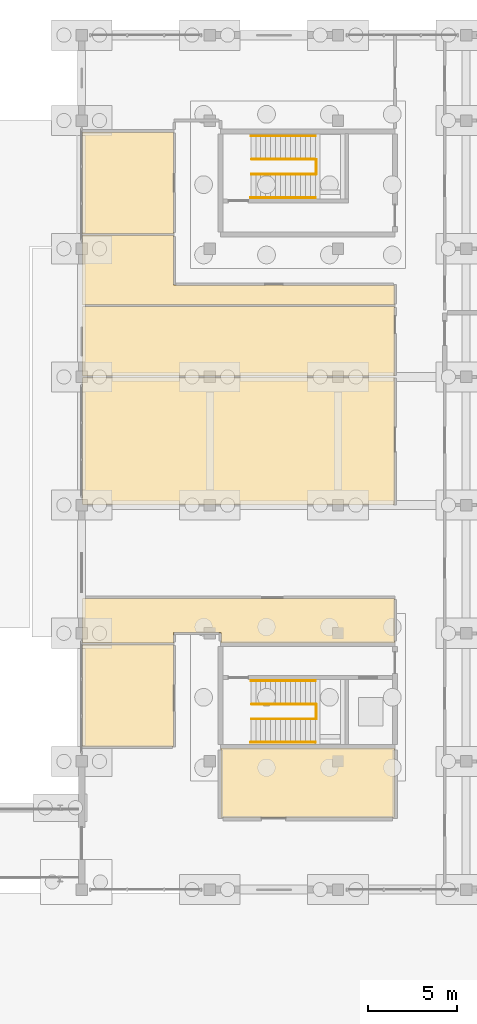
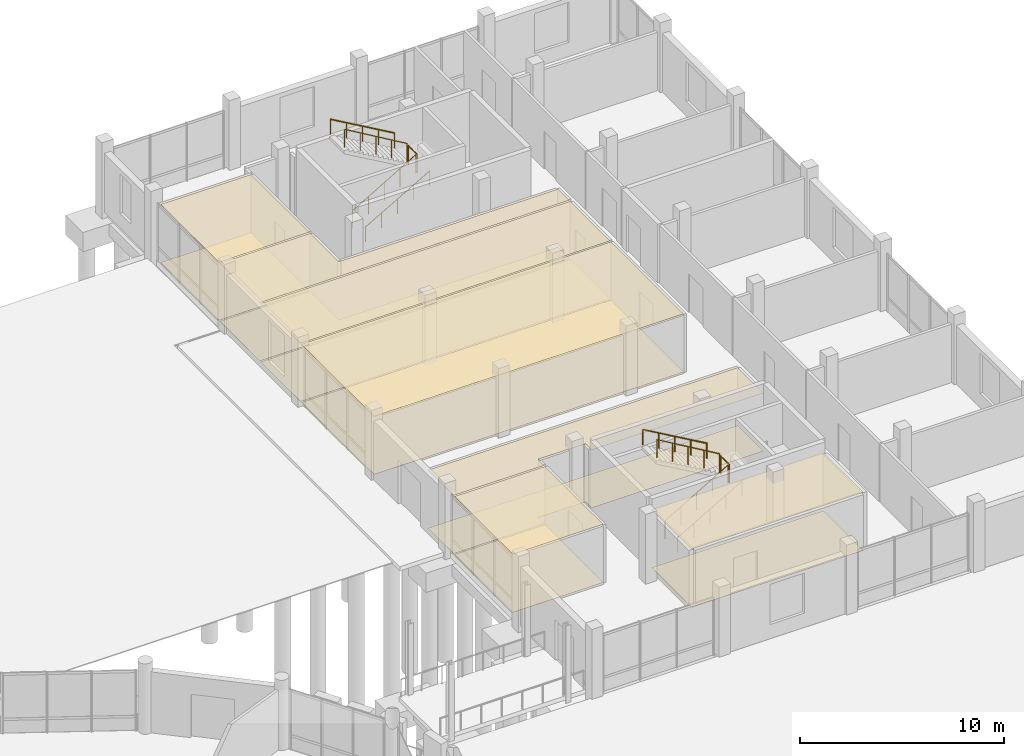
# One storey, part 97 of 98: 14 coverings, 10 railings.
"""IFC4 building model written with IfcOpenShell, lengths in metres."""

from ifc_helpers import new_model, si_unit, direction, frame, origin, origin_2d, place, context, subcontext, project, spatial, polyline, circle, outline, extrude, material, layer, layer_set, type_object, element, save


model = new_model("IFC4")

# Units and contexts
model_context = context("Model", 3, precision=1e-05, world=origin(), true_north=direction((0.0, 1.0)))
body_context = subcontext(model_context, "Body", "Model", "MODEL_VIEW")
ifc_project = project(units=[si_unit("LENGTHUNIT", "METRE"), si_unit("AREAUNIT", "SQUARE_METRE"), si_unit("VOLUMEUNIT", "CUBIC_METRE"), si_unit("PLANEANGLEUNIT", "RADIAN"), si_unit("MASSUNIT", "GRAM", prefix="KILO")], contexts=[model_context])

# Site, building, storey
site_placement = place(None, origin())
site = spatial("IfcSite", under=ifc_project, at=site_placement, CompositionType="ELEMENT")
building_placement = place(site_placement, origin())
building = spatial("IfcBuilding", under=site, at=building_placement, Name="Zornivar Specialist Clinic", CompositionType="ELEMENT")
storey_placement = place(building_placement, origin())
storey = spatial("IfcBuildingStorey", under=building, at=storey_placement, Name="L00", CompositionType="ELEMENT", Elevation=0.0)

# Coverings
ifc_material_1 = material(Name="Washable Acoustic Mineral Clinical Ceiling")
ifc_layer_1 = layer(ifc_material_1, 0.01806640625)
ifc_layer_set_1 = layer_set([ifc_layer_1], Name="Washable Acoustic Mineral Clinical Ceiling")
covering_type_1 = type_object("IfcCoveringType", Name="COV-CEIL-CLIN-18", PredefinedType="CEILING", material=ifc_layer_set_1)
covering_1_placement = place(storey_placement, frame((0.0, 0.0, 3.471923828125)))
element("IfcCovering", 1, at=covering_1_placement, inside=storey, type_object=covering_type_1, Name="ceil:space:V6:L00:rm:00", PredefinedType="CEILING", context=body_context, shape_type="SweptSolid", body=[
    extrude(outline(polyline([(144.639892578125, 68.840087890625), (144.639892578125, 72.760009765625), (154.360107421875, 72.760009765625), (154.360107421875, 68.840087890625), (144.639892578125, 68.840087890625)])), origin(), (0.0, 0.0, 1.0), 0.01806640625),
])
covering_2_placement = place(storey_placement, frame((0.0, 0.0, 3.471923828125)))
element("IfcCovering", 2, at=covering_2_placement, inside=storey, type_object=covering_type_1, Name="ceil:space:V6:L00:rm:01", PredefinedType="CEILING", context=body_context, shape_type="SweptSolid", body=[
    extrude(outline(polyline([(136.840087890625, 72.840087890625), (136.840087890625, 78.56005859375), (141.9599609375, 78.56005859375), (141.9599609375, 72.840087890625), (136.840087890625, 72.840087890625)])), origin(), (0.0, 0.0, 1.0), 0.01806640625),
])
covering_3_placement = place(storey_placement, frame((0.0, 0.0, 3.471923828125)))
element("IfcCovering", 3, at=covering_3_placement, inside=storey, type_object=covering_type_1, Name="ceil:space:V6:L00:rm:02", PredefinedType="CEILING", context=body_context, shape_type="SweptSolid", body=[
    extrude(outline(polyline([(154.360107421875, 78.639892578125), (144.639892578125, 78.639892578125), (144.639892578125, 79.239990234375), (141.9599609375, 79.239990234375), (141.9599609375, 78.639892578125), (136.840087890625, 78.639892578125), (136.840087890625, 81.159912109375), (154.360107421875, 81.159912109375), (154.360107421875, 78.639892578125)])), origin(), (0.0, 0.0, 1.0), 0.01806640625),
])
covering_4_placement = place(storey_placement, frame((0.0, 0.0, 3.471923828125)))
element("IfcCovering", 4, at=covering_4_placement, inside=storey, type_object=covering_type_1, Name="ceil:space:V6:L00:rm:03", PredefinedType="CEILING", context=body_context, shape_type="SweptSolid", body=[
    extrude(outline(polyline([(136.840087890625, 86.43994140625), (136.840087890625, 93.56005859375), (154.360107421875, 93.56005859375), (154.360107421875, 86.43994140625), (136.840087890625, 86.43994140625)])), origin(), (0.0, 0.0, 1.0), 0.01806640625),
])
covering_5_placement = place(storey_placement, frame((0.0, 0.0, 3.471923828125)))
element("IfcCovering", 5, at=covering_5_placement, inside=storey, type_object=covering_type_1, Name="ceil:space:V6:L00:rm:04", PredefinedType="CEILING", context=body_context, shape_type="SweptSolid", body=[
    extrude(outline(polyline([(136.840087890625, 93.639892578125), (136.840087890625, 97.56005859375), (154.360107421875, 97.56005859375), (154.360107421875, 93.639892578125), (136.840087890625, 93.639892578125)])), origin(), (0.0, 0.0, 1.0), 0.01806640625),
])
covering_6_placement = place(storey_placement, frame((0.0, 0.0, 3.471923828125)))
element("IfcCovering", 6, at=covering_6_placement, inside=storey, type_object=covering_type_1, Name="ceil:space:V6:L00:rm:05", PredefinedType="CEILING", context=body_context, shape_type="SweptSolid", body=[
    extrude(outline(polyline([(154.360107421875, 98.760009765625), (154.360107421875, 97.639892578125), (136.840087890625, 97.639892578125), (136.840087890625, 101.56005859375), (141.9599609375, 101.56005859375), (141.9599609375, 98.760009765625), (154.360107421875, 98.760009765625)])), origin(), (0.0, 0.0, 1.0), 0.01806640625),
])
covering_7_placement = place(storey_placement, frame((0.0, 0.0, 3.471923828125)))
element("IfcCovering", 7, at=covering_7_placement, inside=storey, type_object=covering_type_1, Name="ceil:space:V6:L00:rm:06", PredefinedType="CEILING", context=body_context, shape_type="SweptSolid", body=[
    extrude(outline(polyline([(136.840087890625, 101.639892578125), (136.840087890625, 107.360107421875), (141.9599609375, 107.360107421875), (141.9599609375, 101.639892578125), (136.840087890625, 101.639892578125)])), origin(), (0.0, 0.0, 1.0), 0.01806640625),
])
ifc_material_2 = material(Name="Homogeneous Anti-Static Clinical Vinyl Flooring")
ifc_layer_2 = layer(ifc_material_2, 0.011962890625)
ifc_layer_set_2 = layer_set([ifc_layer_2], Name="Homogeneous Anti-Static Clinical Vinyl Flooring")
covering_type_2 = type_object("IfcCoveringType", Name="COV-FLR-VINYL-12", PredefinedType="FLOORING", material=ifc_layer_set_2)
covering_8_placement = place(storey_placement, origin())
element("IfcCovering", 8, at=covering_8_placement, inside=storey, type_object=covering_type_2, Name="flr:space:V6:L00:rm:00", PredefinedType="FLOORING", context=body_context, shape_type="SweptSolid", body=[
    extrude(outline(polyline([(144.639892578125, 68.840087890625), (144.639892578125, 72.760009765625), (154.360107421875, 72.760009765625), (154.360107421875, 68.840087890625), (144.639892578125, 68.840087890625)])), origin(), (0.0, 0.0, 1.0), 0.011962890625),
])
covering_9_placement = place(storey_placement, origin())
element("IfcCovering", 9, at=covering_9_placement, inside=storey, type_object=covering_type_2, Name="flr:space:V6:L00:rm:01", PredefinedType="FLOORING", context=body_context, shape_type="SweptSolid", body=[
    extrude(outline(polyline([(136.840087890625, 72.840087890625), (136.840087890625, 78.56005859375), (141.9599609375, 78.56005859375), (141.9599609375, 72.840087890625), (136.840087890625, 72.840087890625)])), origin(), (0.0, 0.0, 1.0), 0.011962890625),
])
covering_10_placement = place(storey_placement, origin())
element("IfcCovering", 10, at=covering_10_placement, inside=storey, type_object=covering_type_2, Name="flr:space:V6:L00:rm:02", PredefinedType="FLOORING", context=body_context, shape_type="SweptSolid", body=[
    extrude(outline(polyline([(154.360107421875, 78.639892578125), (144.639892578125, 78.639892578125), (144.639892578125, 79.239990234375), (141.9599609375, 79.239990234375), (141.9599609375, 78.639892578125), (136.840087890625, 78.639892578125), (136.840087890625, 81.159912109375), (154.360107421875, 81.159912109375), (154.360107421875, 78.639892578125)])), origin(), (0.0, 0.0, 1.0), 0.011962890625),
])
covering_11_placement = place(storey_placement, origin())
element("IfcCovering", 11, at=covering_11_placement, inside=storey, type_object=covering_type_2, Name="flr:space:V6:L00:rm:03", PredefinedType="FLOORING", context=body_context, shape_type="SweptSolid", body=[
    extrude(outline(polyline([(136.840087890625, 86.43994140625), (136.840087890625, 93.56005859375), (154.360107421875, 93.56005859375), (154.360107421875, 86.43994140625), (136.840087890625, 86.43994140625)])), origin(), (0.0, 0.0, 1.0), 0.011962890625),
])
covering_12_placement = place(storey_placement, origin())
element("IfcCovering", 12, at=covering_12_placement, inside=storey, type_object=covering_type_2, Name="flr:space:V6:L00:rm:04", PredefinedType="FLOORING", context=body_context, shape_type="SweptSolid", body=[
    extrude(outline(polyline([(136.840087890625, 93.639892578125), (136.840087890625, 97.56005859375), (154.360107421875, 97.56005859375), (154.360107421875, 93.639892578125), (136.840087890625, 93.639892578125)])), origin(), (0.0, 0.0, 1.0), 0.011962890625),
])
covering_13_placement = place(storey_placement, origin())
element("IfcCovering", 13, at=covering_13_placement, inside=storey, type_object=covering_type_2, Name="flr:space:V6:L00:rm:05", PredefinedType="FLOORING", context=body_context, shape_type="SweptSolid", body=[
    extrude(outline(polyline([(154.360107421875, 98.760009765625), (154.360107421875, 97.639892578125), (136.840087890625, 97.639892578125), (136.840087890625, 101.56005859375), (141.9599609375, 101.56005859375), (141.9599609375, 98.760009765625), (154.360107421875, 98.760009765625)])), origin(), (0.0, 0.0, 1.0), 0.011962890625),
])
covering_14_placement = place(storey_placement, origin())
element("IfcCovering", 14, at=covering_14_placement, inside=storey, type_object=covering_type_2, Name="flr:space:V6:L00:rm:06", PredefinedType="FLOORING", context=body_context, shape_type="SweptSolid", body=[
    extrude(outline(polyline([(136.840087890625, 101.639892578125), (136.840087890625, 107.360107421875), (141.9599609375, 107.360107421875), (141.9599609375, 101.639892578125), (136.840087890625, 101.639892578125)])), origin(), (0.0, 0.0, 1.0), 0.011962890625),
])

# Railings
ifc_material_3 = material(Name="Brushed Stainless Steel Stair Guardrail", Category="steel")
railing_type_1 = type_object("IfcRailingType", Name="GRD-INT-STAIR-1100", PredefinedType="GUARDRAIL", material=ifc_material_3)
railing_1_placement = place(storey_placement, frame((146.340087890625, 74.3798828125, 0.160888671875)))
element("IfcRailing", 15, at=railing_1_placement, inside=storey, type_object=railing_type_1, Name="stair:C9:L00:grd1", PredefinedType="GUARDRAIL", context=body_context, shape_type="SweptSolid", body=[
    extrude(circle(Radius=0.02392578125, at=origin_2d()), frame((0.0, 0.0, 1.076171875), z_axis=(0.862452268954, 0.0, 0.506138403775), x_axis=(0.0, 1.0, 0.0)), (0.0, 0.0, 1.0), 4.12744140625),
    extrude(circle(Radius=0.02099609375, at=origin_2d()), origin(), (0.0, 0.0, 1.0), 1.052001953125),
    extrude(circle(Radius=0.02099609375, at=origin_2d()), frame((0.889892578125, 0.0, 0.522216796875)), (0.0, 0.0, 1.0), 1.052001953125),
    extrude(circle(Radius=0.02099609375, at=origin_2d()), frame((1.77978515625, 0.0, 1.04443359375)), (0.0, 0.0, 1.0), 1.052001953125),
    extrude(circle(Radius=0.02099609375, at=origin_2d()), frame((2.669921875, 0.0, 1.56689453125)), (0.0, 0.0, 1.0), 1.052001953125),
    extrude(circle(Radius=0.02099609375, at=origin_2d()), frame((3.559814453125, 0.0, 2.089111328125)), (0.0, 0.0, 1.0), 1.052001953125),
])
railing_2_placement = place(storey_placement, frame((149.89990234375, 75.219970703125, 2.410888671875)))
element("IfcRailing", 16, at=railing_2_placement, inside=storey, type_object=railing_type_1, Name="stair:C9:L00:grd2", PredefinedType="GUARDRAIL", context=body_context, shape_type="SweptSolid", body=[
    extrude(circle(Radius=0.02392578125, at=origin_2d()), frame((0.0, 0.0, 1.076171875), z_axis=(-0.861201921892, 0.0, 0.508262973007), x_axis=(0.0, -1.0, 0.0)), (0.0, 0.0, 1.0), 4.1103515625),
    extrude(circle(Radius=0.02099609375, at=origin_2d()), origin(), (0.0, 0.0, 1.0), 1.052001953125),
    extrude(circle(Radius=0.02099609375, at=origin_2d()), frame((-0.885009765625, 0.0, 0.522216796875)), (0.0, 0.0, 1.0), 1.052001953125),
    extrude(circle(Radius=0.02099609375, at=origin_2d()), frame((-1.77001953125, 0.0, 1.04443359375)), (0.0, 0.0, 1.0), 1.052001953125),
    extrude(circle(Radius=0.02099609375, at=origin_2d()), frame((-2.65478515625, 0.0, 1.56689453125)), (0.0, 0.0, 1.0), 1.052001953125),
    extrude(circle(Radius=0.02099609375, at=origin_2d()), frame((-3.539794921875, 0.0, 2.089111328125)), (0.0, 0.0, 1.0), 1.052001953125),
])
railing_3_placement = place(storey_placement, frame((149.969970703125, 74.3798828125, 2.25)))
element("IfcRailing", 17, at=railing_3_placement, inside=storey, type_object=railing_type_1, Name="stair:C9:L00:grdl", PredefinedType="GUARDRAIL", context=body_context, shape_type="SweptSolid", body=[
    extrude(circle(Radius=0.02392578125, at=origin_2d()), frame((0.0, 0.0, 1.076171875), z_axis=(0.0, 1.0, 0.0), x_axis=(-1.0, 0.0, 0.0)), (0.0, 0.0, 1.0), 0.840087890625),
    extrude(circle(Radius=0.02099609375, at=origin_2d()), origin(), (0.0, 0.0, 1.0), 1.052001953125),
    extrude(circle(Radius=0.02099609375, at=origin_2d()), frame((0.0, 0.840087890625, 0.0)), (0.0, 0.0, 1.0), 1.052001953125),
])
railing_4_placement = place(storey_placement, frame((146.340087890625, 104.97998046875, 0.160888671875)))
element("IfcRailing", 18, at=railing_4_placement, inside=storey, type_object=railing_type_1, Name="stair:C10:L00:grd1", PredefinedType="GUARDRAIL", context=body_context, shape_type="SweptSolid", body=[
    extrude(circle(Radius=0.02392578125, at=origin_2d()), frame((0.0, 0.0, 1.076171875), z_axis=(0.862452268954, 0.0, 0.506138403775), x_axis=(0.0, 1.0, 0.0)), (0.0, 0.0, 1.0), 4.12744140625),
    extrude(circle(Radius=0.02099609375, at=origin_2d()), origin(), (0.0, 0.0, 1.0), 1.052001953125),
    extrude(circle(Radius=0.02099609375, at=origin_2d()), frame((0.889892578125, 0.0, 0.522216796875)), (0.0, 0.0, 1.0), 1.052001953125),
    extrude(circle(Radius=0.02099609375, at=origin_2d()), frame((1.77978515625, 0.0, 1.04443359375)), (0.0, 0.0, 1.0), 1.052001953125),
    extrude(circle(Radius=0.02099609375, at=origin_2d()), frame((2.669921875, 0.0, 1.56689453125)), (0.0, 0.0, 1.0), 1.052001953125),
    extrude(circle(Radius=0.02099609375, at=origin_2d()), frame((3.559814453125, 0.0, 2.089111328125)), (0.0, 0.0, 1.0), 1.052001953125),
])
railing_5_placement = place(storey_placement, frame((149.89990234375, 105.820068359375, 2.410888671875)))
element("IfcRailing", 19, at=railing_5_placement, inside=storey, type_object=railing_type_1, Name="stair:C10:L00:grd2", PredefinedType="GUARDRAIL", context=body_context, shape_type="SweptSolid", body=[
    extrude(circle(Radius=0.02392578125, at=origin_2d()), frame((0.0, 0.0, 1.076171875), z_axis=(-0.861201921892, 0.0, 0.508262973007), x_axis=(0.0, -1.0, 0.0)), (0.0, 0.0, 1.0), 4.1103515625),
    extrude(circle(Radius=0.02099609375, at=origin_2d()), origin(), (0.0, 0.0, 1.0), 1.052001953125),
    extrude(circle(Radius=0.02099609375, at=origin_2d()), frame((-0.885009765625, 0.0, 0.522216796875)), (0.0, 0.0, 1.0), 1.052001953125),
    extrude(circle(Radius=0.02099609375, at=origin_2d()), frame((-1.77001953125, 0.0, 1.04443359375)), (0.0, 0.0, 1.0), 1.052001953125),
    extrude(circle(Radius=0.02099609375, at=origin_2d()), frame((-2.65478515625, 0.0, 1.56689453125)), (0.0, 0.0, 1.0), 1.052001953125),
    extrude(circle(Radius=0.02099609375, at=origin_2d()), frame((-3.539794921875, 0.0, 2.089111328125)), (0.0, 0.0, 1.0), 1.052001953125),
])
railing_6_placement = place(storey_placement, frame((149.969970703125, 104.97998046875, 2.25)))
element("IfcRailing", 20, at=railing_6_placement, inside=storey, type_object=railing_type_1, Name="stair:C10:L00:grdl", PredefinedType="GUARDRAIL", context=body_context, shape_type="SweptSolid", body=[
    extrude(circle(Radius=0.02392578125, at=origin_2d()), frame((0.0, 0.0, 1.076171875), z_axis=(0.0, 1.0, 0.0), x_axis=(-1.0, 0.0, 0.0)), (0.0, 0.0, 1.0), 0.840087890625),
    extrude(circle(Radius=0.02099609375, at=origin_2d()), origin(), (0.0, 0.0, 1.0), 1.052001953125),
    extrude(circle(Radius=0.02099609375, at=origin_2d()), frame((0.0, 0.840087890625, 0.0)), (0.0, 0.0, 1.0), 1.052001953125),
])
ifc_material_4 = material(Name="Brushed Stainless Steel Continuous Handrail", Category="steel")
railing_type_2 = type_object("IfcRailingType", Name="HRL-STAIR-0920", PredefinedType="HANDRAIL", material=ifc_material_4)
railing_7_placement = place(storey_placement, frame((146.300048828125, 73.070068359375, 0.160888671875)))
element("IfcRailing", 21, at=railing_7_placement, inside=storey, type_object=railing_type_2, Name="stair:C9:L00:hr1", PredefinedType="HANDRAIL", context=body_context, shape_type="SweptSolid", body=[
    extrude(circle(Radius=0.02392578125, at=origin_2d()), frame((0.0, 0.0, 0.89599609375), z_axis=(0.867300072446, 0.0, 0.497785681127), x_axis=(0.0, 1.0, 0.0)), (0.0, 0.0, 1.0), 4.19677734375),
    extrude(circle(Radius=0.02099609375, at=origin_2d()), origin(), (0.0, 0.0, 1.0), 0.871826171875),
    extrude(circle(Radius=0.02099609375, at=origin_2d()), frame((0.909912109375, 0.0, 0.522216796875)), (0.0, 0.0, 1.0), 0.871826171875),
    extrude(circle(Radius=0.02099609375, at=origin_2d()), frame((1.81982421875, 0.0, 1.04443359375)), (0.0, 0.0, 1.0), 0.871826171875),
    extrude(circle(Radius=0.02099609375, at=origin_2d()), frame((2.72998046875, 0.0, 1.56689453125)), (0.0, 0.0, 1.0), 0.871826171875),
    extrude(circle(Radius=0.02099609375, at=origin_2d()), frame((3.639892578125, 0.0, 2.089111328125)), (0.0, 0.0, 1.0), 0.871826171875),
])
railing_8_placement = place(storey_placement, frame((149.93994140625, 76.530029296875, 2.410888671875)))
element("IfcRailing", 22, at=railing_8_placement, inside=storey, type_object=railing_type_2, Name="stair:C9:L00:hr2", PredefinedType="HANDRAIL", context=body_context, shape_type="SweptSolid", body=[
    extrude(circle(Radius=0.02392578125, at=origin_2d()), frame((0.0, 0.0, 0.89599609375), z_axis=(-0.866110694346, 0.0, 0.499852243307), x_axis=(0.0, -1.0, 0.0)), (0.0, 0.0, 1.0), 4.179443359375),
    extrude(circle(Radius=0.02099609375, at=origin_2d()), origin(), (0.0, 0.0, 1.0), 0.871826171875),
    extrude(circle(Radius=0.02099609375, at=origin_2d()), frame((-0.905029296875, 0.0, 0.522216796875)), (0.0, 0.0, 1.0), 0.871826171875),
    extrude(circle(Radius=0.02099609375, at=origin_2d()), frame((-1.81005859375, 0.0, 1.04443359375)), (0.0, 0.0, 1.0), 0.871826171875),
    extrude(circle(Radius=0.02099609375, at=origin_2d()), frame((-2.71484375, 0.0, 1.56689453125)), (0.0, 0.0, 1.0), 0.871826171875),
    extrude(circle(Radius=0.02099609375, at=origin_2d()), frame((-3.619873046875, 0.0, 2.089111328125)), (0.0, 0.0, 1.0), 0.871826171875),
])
railing_9_placement = place(storey_placement, frame((146.300048828125, 103.669921875, 0.160888671875)))
element("IfcRailing", 23, at=railing_9_placement, inside=storey, type_object=railing_type_2, Name="stair:C10:L00:hr1", PredefinedType="HANDRAIL", context=body_context, shape_type="SweptSolid", body=[
    extrude(circle(Radius=0.02392578125, at=origin_2d()), frame((0.0, 0.0, 0.89599609375), z_axis=(0.867300072446, 0.0, 0.497785681127), x_axis=(0.0, 1.0, 0.0)), (0.0, 0.0, 1.0), 4.19677734375),
    extrude(circle(Radius=0.02099609375, at=origin_2d()), origin(), (0.0, 0.0, 1.0), 0.871826171875),
    extrude(circle(Radius=0.02099609375, at=origin_2d()), frame((0.909912109375, 0.0, 0.522216796875)), (0.0, 0.0, 1.0), 0.871826171875),
    extrude(circle(Radius=0.02099609375, at=origin_2d()), frame((1.81982421875, 0.0, 1.04443359375)), (0.0, 0.0, 1.0), 0.871826171875),
    extrude(circle(Radius=0.02099609375, at=origin_2d()), frame((2.72998046875, 0.0, 1.56689453125)), (0.0, 0.0, 1.0), 0.871826171875),
    extrude(circle(Radius=0.02099609375, at=origin_2d()), frame((3.639892578125, 0.0, 2.089111328125)), (0.0, 0.0, 1.0), 0.871826171875),
])
railing_10_placement = place(storey_placement, frame((149.93994140625, 107.1298828125, 2.410888671875)))
element("IfcRailing", 24, at=railing_10_placement, inside=storey, type_object=railing_type_2, Name="stair:C10:L00:hr2", PredefinedType="HANDRAIL", context=body_context, shape_type="SweptSolid", body=[
    extrude(circle(Radius=0.02392578125, at=origin_2d()), frame((0.0, 0.0, 0.89599609375), z_axis=(-0.866110694346, 0.0, 0.499852243307), x_axis=(0.0, -1.0, 0.0)), (0.0, 0.0, 1.0), 4.179443359375),
    extrude(circle(Radius=0.02099609375, at=origin_2d()), origin(), (0.0, 0.0, 1.0), 0.871826171875),
    extrude(circle(Radius=0.02099609375, at=origin_2d()), frame((-0.905029296875, 0.0, 0.522216796875)), (0.0, 0.0, 1.0), 0.871826171875),
    extrude(circle(Radius=0.02099609375, at=origin_2d()), frame((-1.81005859375, 0.0, 1.04443359375)), (0.0, 0.0, 1.0), 0.871826171875),
    extrude(circle(Radius=0.02099609375, at=origin_2d()), frame((-2.71484375, 0.0, 1.56689453125)), (0.0, 0.0, 1.0), 0.871826171875),
    extrude(circle(Radius=0.02099609375, at=origin_2d()), frame((-3.619873046875, 0.0, 2.089111328125)), (0.0, 0.0, 1.0), 0.871826171875),
])

save(model, "model.ifc")
